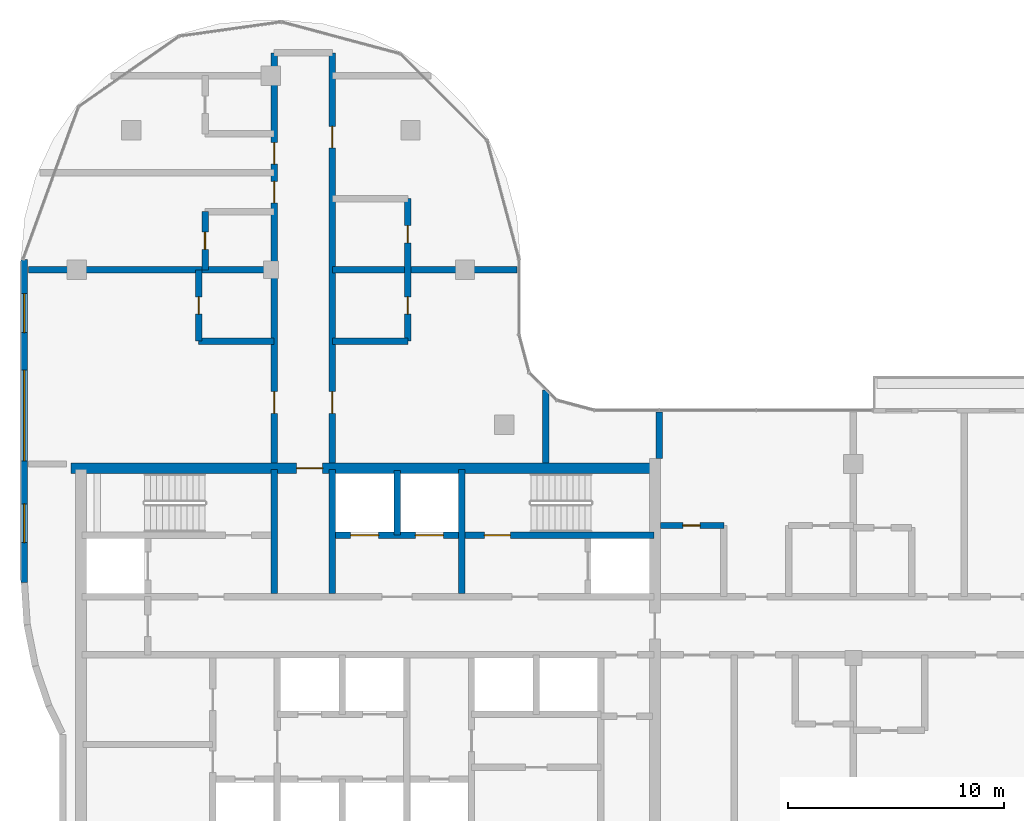
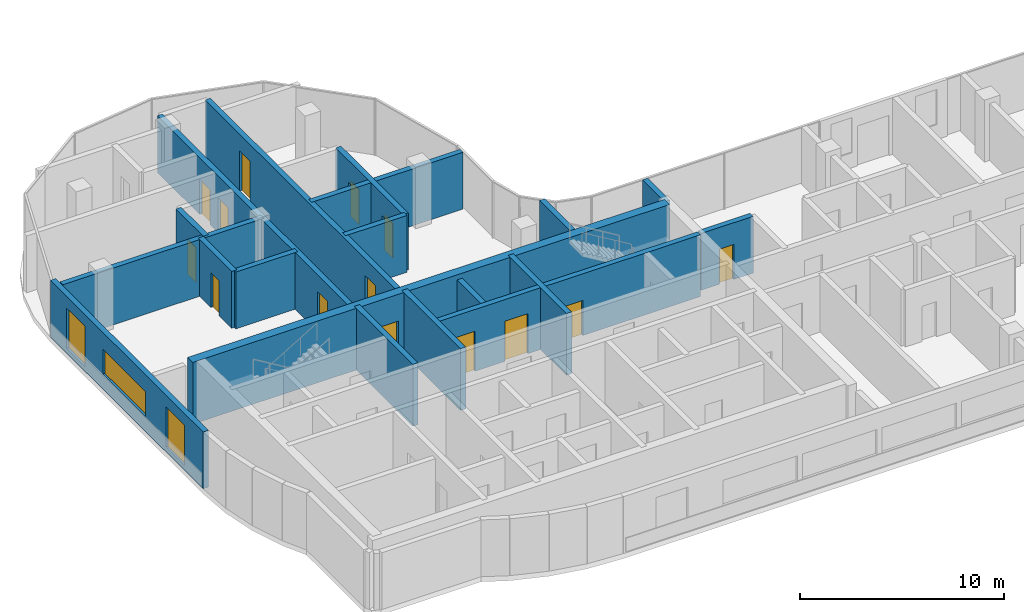
# One storey, part 10 of 18: 19 walls, 14 doors, 3 windows, 17 openings.
"""IFC4 building model written with IfcOpenShell, lengths in metres."""

from ifc_helpers import new_model, si_unit, direction, frame, frame_2d, origin, place, context, subcontext, project, spatial, rectangle, extrude, material, layer, layer_set, type_object, element, fill, save


model = new_model("IFC4")

# Units and contexts
model_context = context("Model", 3, precision=1e-05, world=origin(), true_north=direction((0.0, 1.0)))
body_context = subcontext(model_context, "Body", "Model", "MODEL_VIEW")
ifc_project = project(units=[si_unit("LENGTHUNIT", "METRE"), si_unit("AREAUNIT", "SQUARE_METRE"), si_unit("VOLUMEUNIT", "CUBIC_METRE"), si_unit("PLANEANGLEUNIT", "RADIAN"), si_unit("MASSUNIT", "GRAM", prefix="KILO")], contexts=[model_context])

# Site, building, storey
site_placement = place(None, origin())
site = spatial("IfcSite", under=ifc_project, at=site_placement, CompositionType="ELEMENT")
building_placement = place(site_placement, origin())
building = spatial("IfcBuilding", under=site, at=building_placement, Name="Ogive Portal Towers", CompositionType="ELEMENT")
storey_placement = place(building_placement, frame((0.0, 0.0, 236.5)))
storey = spatial("IfcBuildingStorey", under=building, at=storey_placement, Name="L59", CompositionType="ELEMENT", Elevation=236.5)

# Wall, openings, doors
ifc_material_1 = material(Name="Concrete C60/75", Category="concrete")
ifc_layer_1 = layer(ifc_material_1, 0.300048828125)
ifc_layer_set_1 = layer_set([ifc_layer_1], Name="CORE WALL 300 C60")
wall_type_1 = type_object("IfcWallType", Name="CORE WALL 300 C60", PredefinedType="SHEAR", material=ifc_layer_set_1)
wall_1_placement = place(storey_placement, frame((43.5, 36.199951171875, 0.0), z_axis=(0.0, 0.0, 1.0), x_axis=(1.0, 0.0, 0.0)))
wall_1 = element("IfcWall", 1, at=wall_1_placement, inside=storey, type_object=wall_type_1, Name="Core wall Y3b L59", PredefinedType="SHEAR", context=body_context, shape_type="SweptSolid", body=[
    extrude(rectangle(XDim=14.75, YDim=0.300048828125, at=frame_2d((7.375, 0.0))), origin(), (0.0, 0.0, 1.0), 3.699951171875),
])
opening_1_placement = place(wall_1_placement, frame((6.89990234375, 0.0, 0.0)))
opening_1 = element("IfcOpeningElement", 2, at=opening_1_placement, cuts=wall_1, Name="Opening D26-006", PredefinedType="OPENING", context=body_context, shape_type="SweptSolid", body=[
    extrude(rectangle(XDim=1.199951171875, YDim=2.10009765625, at=frame_2d((0.60009765625, 1.050048828125))), frame((0.0, 0.16015625, 0.0), z_axis=(0.0, -1.0, 0.0), x_axis=(1.0, 0.0, 0.0)), (0.0, 0.0, 1.0), 0.320068359375),
])
opening_2_placement = place(wall_1_placement, frame((0.699951171875, 0.0, 0.0)))
opening_2 = element("IfcOpeningElement", 3, at=opening_2_placement, cuts=wall_1, Name="Opening D26-017", PredefinedType="OPENING", context=body_context, shape_type="SweptSolid", body=[
    extrude(rectangle(XDim=1.300048828125, YDim=2.39990234375, at=frame_2d((0.64990234375, 1.199951171875))), frame((0.0, 0.16015625, 0.0), z_axis=(0.0, -1.0, 0.0), x_axis=(1.0, 0.0, 0.0)), (0.0, 0.0, 1.0), 0.320068359375),
])
opening_3_placement = place(wall_1_placement, frame((3.699951171875, 0.0, 0.0)))
opening_3 = element("IfcOpeningElement", 4, at=opening_3_placement, cuts=wall_1, Name="Opening D26-018", PredefinedType="OPENING", context=body_context, shape_type="SweptSolid", body=[
    extrude(rectangle(XDim=1.300048828125, YDim=2.39990234375, at=frame_2d((0.64990234375, 1.199951171875))), frame((0.0, 0.16015625, 0.0), z_axis=(0.0, -1.0, 0.0), x_axis=(1.0, 0.0, 0.0)), (0.0, 0.0, 1.0), 0.320068359375),
])
ifc_material_2 = material(Name="Stainless steel", Category="steel")
door_type_1 = type_object("IfcDoorType", Name="DT-LD-1300x2400", OperationType="SLIDING_TO_LEFT", PredefinedType="DOOR", material=ifc_material_2)
door_1_placement = place(opening_2_placement, origin())
door_1 = element("IfcDoor", 5, at=door_1_placement, inside=storey, type_object=door_type_1, Name="Door D26-017", OperationType="SLIDING_TO_LEFT", OverallHeight=2.39990234375, OverallWidth=1.300048828125, PredefinedType="DOOR", context=body_context, shape_type="SweptSolid", body=[
    extrude(rectangle(XDim=1.300048828125, YDim=2.39990234375, at=frame_2d((0.64990234375, 1.199951171875))), frame((0.0, 0.02490234375, 0.0), z_axis=(0.0, -1.0, 0.0), x_axis=(1.0, 0.0, 0.0)), (0.0, 0.0, 1.0), 0.050048828125),
])
fill(opening_2, door_1)
door_2_placement = place(opening_3_placement, origin())
door_2 = element("IfcDoor", 6, at=door_2_placement, inside=storey, type_object=door_type_1, Name="Door D26-018", OperationType="SLIDING_TO_LEFT", OverallHeight=2.39990234375, OverallWidth=1.300048828125, PredefinedType="DOOR", context=body_context, shape_type="SweptSolid", body=[
    extrude(rectangle(XDim=1.300048828125, YDim=2.39990234375, at=frame_2d((0.64990234375, 1.199951171875))), frame((0.0, 0.02490234375, 0.0), z_axis=(0.0, -1.0, 0.0), x_axis=(1.0, 0.0, 0.0)), (0.0, 0.0, 1.0), 0.050048828125),
])
fill(opening_3, door_2)
ifc_material_3 = material(Name="Steel fire door", Category="steel")
door_type_2 = type_object("IfcDoorType", Name="DT-SWING-1200x2100-FD90S", OperationType="SINGLE_SWING_LEFT", PredefinedType="DOOR", material=ifc_material_3)
door_3_placement = place(opening_1_placement, origin())
door_3 = element("IfcDoor", 7, at=door_3_placement, inside=storey, type_object=door_type_2, Name="Door D26-006", OperationType="SINGLE_SWING_LEFT", OverallHeight=2.10009765625, OverallWidth=1.199951171875, PredefinedType="DOOR", context=body_context, shape_type="SweptSolid", body=[
    extrude(rectangle(XDim=1.199951171875, YDim=2.10009765625, at=frame_2d((0.60009765625, 1.050048828125))), frame((0.0, 0.02490234375, 0.0), z_axis=(0.0, -1.0, 0.0), x_axis=(1.0, 0.0, 0.0)), (0.0, 0.0, 1.0), 0.050048828125),
])
fill(opening_1, door_3)

# Walls
for number, where, z_axis, x_axis, name in (
    (8, (40.64990234375, 33.5, 0.0), (0.0, 0.0, 1.0), (0.0, 1.0, 0.0), "Core wall X6 L59"),
    (9, (43.35009765625, 33.5, 0.0), (0.0, 0.0, 1.0), (0.0, 1.0, 0.0), "Core wall X7 L59"),
    (10, (49.35009765625, 33.5, 0.0), (0.0, 0.0, 1.0), (0.0, 1.0, 0.0), "Core wall X9 L59"),
):
    element("IfcWall", number, at=place(storey_placement, frame(where, z_axis=z_axis, x_axis=x_axis)), inside=storey, type_object=wall_type_1, Name=name, PredefinedType="SHEAR", context=body_context, shape_type="SweptSolid", body=[
        extrude(rectangle(XDim=5.75, YDim=0.300048828125, at=frame_2d((2.875, 0.0))), origin(), (0.0, 0.0, 1.0), 3.699951171875),
    ])

# Wall, opening, door
ifc_layer_2 = layer(ifc_material_1, 0.5)
ifc_layer_set_2 = layer_set([ifc_layer_2], Name="CORE WALL 500 C60")
wall_type_2 = type_object("IfcWallType", Name="CORE WALL 500 C60", PredefinedType="SHEAR", material=ifc_layer_set_2)
wall_2_placement = place(storey_placement, frame((31.25, 39.300048828125, 0.0), z_axis=(0.0, 0.0, 1.0), x_axis=(1.0, 0.0, 0.0)))
wall_2 = element("IfcWall", 11, at=wall_2_placement, inside=storey, type_object=wall_type_2, Name="Core wall N L59", PredefinedType="SHEAR", context=body_context, shape_type="SweptSolid", body=[
    extrude(rectangle(XDim=27.0, YDim=0.5, at=frame_2d((13.5, 0.0))), origin(), (0.0, 0.0, 1.0), 3.699951171875),
])
opening_4_placement = place(wall_2_placement, frame((10.449951171875, 0.0, 0.0)))
opening_4 = element("IfcOpeningElement", 12, at=opening_4_placement, cuts=wall_2, Name="Opening D26-012", PredefinedType="OPENING", context=body_context, shape_type="SweptSolid", body=[
    extrude(rectangle(XDim=1.199951171875, YDim=2.10009765625, at=frame_2d((0.60009765625, 1.050048828125))), frame((0.0, 0.260009765625, 0.0), z_axis=(0.0, -1.0, 0.0), x_axis=(1.0, 0.0, 0.0)), (0.0, 0.0, 1.0), 0.52001953125),
])
door_4_placement = place(opening_4_placement, origin())
door_4 = element("IfcDoor", 13, at=door_4_placement, inside=storey, type_object=door_type_2, Name="Door D26-012", OperationType="SINGLE_SWING_RIGHT", OverallHeight=2.10009765625, OverallWidth=1.199951171875, PredefinedType="DOOR", context=body_context, shape_type="SweptSolid", body=[
    extrude(rectangle(XDim=1.199951171875, YDim=2.10009765625, at=frame_2d((0.60009765625, 1.050048828125))), frame((0.0, 0.02490234375, 0.0), z_axis=(0.0, -1.0, 0.0), x_axis=(1.0, 0.0, 0.0)), (0.0, 0.0, 1.0), 0.050048828125),
])
fill(opening_4, door_4)

# Wall, openings, windows
ifc_material_4 = material(Name="Limestone cladding on lightweight block wall", Category="masonry")
ifc_layer_3 = layer(ifc_material_4, 0.300048828125)
ifc_layer_set_3 = layer_set([ifc_layer_3], Name="EXTERNAL WALL 300 STONE")
wall_type_3 = type_object("IfcWallType", Name="EXTERNAL WALL 300 STONE", PredefinedType="SOLIDWALL", material=ifc_layer_set_3)
wall_3_placement = place(storey_placement, frame((29.074951171875, 48.98583984375, 0.0), z_axis=(0.0, 0.0, 1.0), x_axis=(0.0, -1.0, 0.0)))
wall_3 = element("IfcWall", 14, at=wall_3_placement, inside=storey, type_object=wall_type_3, Name="A:L59:f27:r0:wall", PredefinedType="SOLIDWALL", context=body_context, shape_type="SweptSolid", body=[
    extrude(rectangle(XDim=14.97607421875, YDim=0.300048828125, at=frame_2d((7.488037109375, 0.0))), origin(), (0.0, 0.0, 1.0), 3.39990234375),
])
opening_5_placement = place(wall_3_placement, frame((1.593017578125, 0.0, 0.300048828125)))
opening_5 = element("IfcOpeningElement", 15, at=opening_5_placement, cuts=wall_3, Name="Opening WN10", PredefinedType="OPENING", context=body_context, shape_type="SweptSolid", body=[
    extrude(rectangle(XDim=1.800048828125, YDim=2.39990234375, at=frame_2d((0.89990234375, 1.199951171875))), frame((0.0, 0.16015625, 0.0), z_axis=(0.0, -1.0, 0.0), x_axis=(1.0, 0.0, 0.0)), (0.0, 0.0, 1.0), 0.320068359375),
])
opening_6_placement = place(wall_3_placement, frame((5.135986328125, 0.0, 0.89990234375)))
opening_6 = element("IfcOpeningElement", 16, at=opening_6_placement, cuts=wall_3, Name="Opening WN11", PredefinedType="OPENING", context=body_context, shape_type="SweptSolid", body=[
    extrude(rectangle(XDim=4.199951171875, YDim=1.5, at=frame_2d((2.10009765625, 0.75))), frame((0.0, 0.16015625, 0.0), z_axis=(0.0, -1.0, 0.0), x_axis=(1.0, 0.0, 0.0)), (0.0, 0.0, 1.0), 0.320068359375),
])
opening_7_placement = place(wall_3_placement, frame((11.3310546875, 0.0, 0.300048828125)))
opening_7 = element("IfcOpeningElement", 17, at=opening_7_placement, cuts=wall_3, Name="Opening WN10", PredefinedType="OPENING", context=body_context, shape_type="SweptSolid", body=[
    extrude(rectangle(XDim=1.800048828125, YDim=2.39990234375, at=frame_2d((0.89990234375, 1.199951171875))), frame((0.0, 0.16015625, 0.0), z_axis=(0.0, -1.0, 0.0), x_axis=(1.0, 0.0, 0.0)), (0.0, 0.0, 1.0), 0.320068359375),
])
ifc_material_5 = material(Name="Glass, clear low-iron insulated glazing", Category="glass")
window_type_1 = type_object("IfcWindowType", Name="WINDOW RIBBON 4200x1500", PartitioningType="TRIPLE_PANEL_VERTICAL", PredefinedType="WINDOW", material=ifc_material_5)
window_1_placement = place(opening_6_placement, origin())
window_1 = element("IfcWindow", 18, at=window_1_placement, inside=storey, type_object=window_type_1, Name="A:L59:f27:r0:w1", OverallHeight=1.5, OverallWidth=4.199951171875, PartitioningType="SINGLE_PANEL", PredefinedType="WINDOW", context=body_context, shape_type="SweptSolid", body=[
    extrude(rectangle(XDim=4.199951171875, YDim=1.5, at=frame_2d((2.10009765625, 0.75))), frame((0.0, 0.030029296875, 0.0), z_axis=(0.0, -1.0, 0.0), x_axis=(1.0, 0.0, 0.0)), (0.0, 0.0, 1.0), 0.06005859375),
])
fill(opening_6, window_1)
window_type_2 = type_object("IfcWindowType", Name="WINDOW SUITE CORNER 1800x2400", PartitioningType="DOUBLE_PANEL_VERTICAL", PredefinedType="WINDOW", material=ifc_material_5)
window_2_placement = place(opening_5_placement, origin())
window_2 = element("IfcWindow", 19, at=window_2_placement, inside=storey, type_object=window_type_2, Name="A:L59:f27:r0:w0", OverallHeight=2.39990234375, OverallWidth=1.800048828125, PartitioningType="SINGLE_PANEL", PredefinedType="WINDOW", context=body_context, shape_type="SweptSolid", body=[
    extrude(rectangle(XDim=1.800048828125, YDim=2.39990234375, at=frame_2d((0.89990234375, 1.199951171875))), frame((0.0, 0.030029296875, 0.0), z_axis=(0.0, -1.0, 0.0), x_axis=(1.0, 0.0, 0.0)), (0.0, 0.0, 1.0), 0.06005859375),
])
fill(opening_5, window_2)
window_3_placement = place(opening_7_placement, origin())
window_3 = element("IfcWindow", 20, at=window_3_placement, inside=storey, type_object=window_type_2, Name="A:L59:f27:r0:w2", OverallHeight=2.39990234375, OverallWidth=1.800048828125, PartitioningType="SINGLE_PANEL", PredefinedType="WINDOW", context=body_context, shape_type="SweptSolid", body=[
    extrude(rectangle(XDim=1.800048828125, YDim=2.39990234375, at=frame_2d((0.89990234375, 1.199951171875))), frame((0.0, 0.030029296875, 0.0), z_axis=(0.0, -1.0, 0.0), x_axis=(1.0, 0.0, 0.0)), (0.0, 0.0, 1.0), 0.06005859375),
])
fill(opening_7, window_3)

# Wall, opening, door
ifc_material_6 = material(Name="Gypsum board partition on steel studs", Category="steel")
ifc_layer_4 = layer(ifc_material_6, 0.300048828125)
ifc_layer_set_4 = layer_set([ifc_layer_4], Name="WT-PART-300-EI 60")
wall_type_4 = type_object("IfcWallType", Name="WT-PART-300-EI 60", PredefinedType="PARTITIONING", material=ifc_layer_set_4)
wall_4_placement = place(storey_placement, frame((58.550048828125, 36.64990234375, 0.0), z_axis=(0.0, 0.0, 1.0), x_axis=(1.0, 0.0, 0.0)))
wall_4 = element("IfcWall", 21, at=wall_4_placement, inside=storey, type_object=wall_type_4, Name="Wall L59:w011", PredefinedType="PARTITIONING", context=body_context, shape_type="SweptSolid", body=[
    extrude(rectangle(XDim=2.949951171875, YDim=0.300048828125, at=frame_2d((1.47509765625, 0.0))), origin(), (0.0, 0.0, 1.0), 3.39990234375),
])
opening_8_placement = place(wall_4_placement, frame((1.050048828125, 0.0, 0.0)))
opening_8 = element("IfcOpeningElement", 22, at=opening_8_placement, cuts=wall_4, Name="Opening D26-026", PredefinedType="OPENING", context=body_context, shape_type="SweptSolid", body=[
    extrude(rectangle(XDim=0.800048828125, YDim=2.10009765625, at=frame_2d((0.39990234375, 1.050048828125))), frame((0.0, 0.16015625, 0.0), z_axis=(0.0, -1.0, 0.0), x_axis=(1.0, 0.0, 0.0)), (0.0, 0.0, 1.0), 0.320068359375),
])
door_type_3 = type_object("IfcDoorType", Name="DT-BATH-800x2100-FD60S", OperationType="SINGLE_SWING_LEFT", PredefinedType="DOOR", material=ifc_material_3)
door_5_placement = place(opening_8_placement, origin())
door_5 = element("IfcDoor", 23, at=door_5_placement, inside=storey, type_object=door_type_3, Name="Door D26-026", OperationType="SINGLE_SWING_LEFT", OverallHeight=2.10009765625, OverallWidth=0.800048828125, PredefinedType="DOOR", context=body_context, shape_type="SweptSolid", body=[
    extrude(rectangle(XDim=0.800048828125, YDim=2.10009765625, at=frame_2d((0.39990234375, 1.050048828125))), frame((0.0, 0.02490234375, 0.0), z_axis=(0.0, -1.0, 0.0), x_axis=(1.0, 0.0, 0.0)), (0.0, 0.0, 1.0), 0.050048828125),
])
fill(opening_8, door_5)

# Walls
for number, where, z_axis, x_axis, name in (
    (24, (37.14990234375, 45.199951171875, 0.0), (0.0, 0.0, 1.0), (1.0, 0.0, 0.0), "Wall L59:w015"),
    (25, (43.35009765625, 45.199951171875, 0.0), (0.0, 0.0, 1.0), (1.0, 0.0, 0.0), "Wall L59:w016"),
):
    element("IfcWall", number, at=place(storey_placement, frame(where, z_axis=z_axis, x_axis=x_axis)), inside=storey, type_object=wall_type_4, Name=name, PredefinedType="PARTITIONING", context=body_context, shape_type="SweptSolid", body=[
        extrude(rectangle(XDim=3.5, YDim=0.300048828125, at=frame_2d((1.75, 0.0))), origin(), (0.0, 0.0, 1.0), 3.39990234375),
    ])
wall_5_placement = place(storey_placement, frame((29.27490234375, 48.5, 0.0), z_axis=(0.0, 0.0, 1.0), x_axis=(1.0, 0.0, 0.0)))
element("IfcWall", 26, at=wall_5_placement, inside=storey, type_object=wall_type_4, Name="Wall L59:w017", PredefinedType="PARTITIONING", context=body_context, shape_type="SweptSolid", body=[
    extrude(rectangle(XDim=11.375, YDim=0.300048828125, at=frame_2d((5.6875, 0.0))), origin(), (0.0, 0.0, 1.0), 3.39990234375),
])
wall_6_placement = place(storey_placement, frame((43.35009765625, 48.5, 0.0), z_axis=(0.0, 0.0, 1.0), x_axis=(1.0, 0.0, 0.0)))
element("IfcWall", 27, at=wall_6_placement, inside=storey, type_object=wall_type_4, Name="Wall L59:w018", PredefinedType="PARTITIONING", context=body_context, shape_type="SweptSolid", body=[
    extrude(rectangle(XDim=8.554931640625, YDim=0.300048828125, at=frame_2d((4.27734375, 0.0))), origin(), (0.0, 0.0, 1.0), 3.39990234375),
])

# Wall, opening, door
wall_7_placement = place(storey_placement, frame((37.14990234375, 45.199951171875, 0.0), z_axis=(0.0, 0.0, 1.0), x_axis=(0.0, 1.0, 0.0)))
wall_7 = element("IfcWall", 28, at=wall_7_placement, inside=storey, type_object=wall_type_4, Name="Wall L59:w026", PredefinedType="PARTITIONING", context=body_context, shape_type="SweptSolid", body=[
    extrude(rectangle(XDim=3.300048828125, YDim=0.300048828125, at=frame_2d((1.64990234375, 0.0))), origin(), (0.0, 0.0, 1.0), 3.39990234375),
])
opening_9_placement = place(wall_7_placement, frame((1.25, 0.0, 0.0)))
opening_9 = element("IfcOpeningElement", 29, at=opening_9_placement, cuts=wall_7, Name="Opening D26-044", PredefinedType="OPENING", context=body_context, shape_type="SweptSolid", body=[
    extrude(rectangle(XDim=0.800048828125, YDim=2.10009765625, at=frame_2d((0.39990234375, 1.050048828125))), frame((0.0, 0.16015625, 0.0), z_axis=(0.0, -1.0, 0.0), x_axis=(1.0, 0.0, 0.0)), (0.0, 0.0, 1.0), 0.320068359375),
])
door_6_placement = place(opening_9_placement, origin())
door_6 = element("IfcDoor", 30, at=door_6_placement, inside=storey, type_object=door_type_3, Name="Door D26-044", OperationType="SINGLE_SWING_LEFT", OverallHeight=2.10009765625, OverallWidth=0.800048828125, PredefinedType="DOOR", context=body_context, shape_type="SweptSolid", body=[
    extrude(rectangle(XDim=0.800048828125, YDim=2.10009765625, at=frame_2d((0.39990234375, 1.050048828125))), frame((0.0, 0.02490234375, 0.0), z_axis=(0.0, -1.0, 0.0), x_axis=(1.0, 0.0, 0.0)), (0.0, 0.0, 1.0), 0.050048828125),
])
fill(opening_9, door_6)

wall_8_placement = place(storey_placement, frame((37.449951171875, 48.5, 0.0), z_axis=(0.0, 0.0, 1.0), x_axis=(0.0, 1.0, 0.0)))
wall_8 = element("IfcWall", 31, at=wall_8_placement, inside=storey, type_object=wall_type_4, Name="Wall L59:w027", PredefinedType="PARTITIONING", context=body_context, shape_type="SweptSolid", body=[
    extrude(rectangle(XDim=2.699951171875, YDim=0.300048828125, at=frame_2d((1.35009765625, 0.0))), origin(), (0.0, 0.0, 1.0), 3.39990234375),
])
opening_10_placement = place(wall_8_placement, frame((0.949951171875, 0.0, 0.0)))
opening_10 = element("IfcOpeningElement", 32, at=opening_10_placement, cuts=wall_8, Name="Opening D26-048", PredefinedType="OPENING", context=body_context, shape_type="SweptSolid", body=[
    extrude(rectangle(XDim=0.800048828125, YDim=2.10009765625, at=frame_2d((0.39990234375, 1.050048828125))), frame((0.0, 0.16015625, 0.0), z_axis=(0.0, -1.0, 0.0), x_axis=(1.0, 0.0, 0.0)), (0.0, 0.0, 1.0), 0.320068359375),
])
door_7_placement = place(opening_10_placement, origin())
door_7 = element("IfcDoor", 33, at=door_7_placement, inside=storey, type_object=door_type_3, Name="Door D26-048", OperationType="SINGLE_SWING_RIGHT", OverallHeight=2.10009765625, OverallWidth=0.800048828125, PredefinedType="DOOR", context=body_context, shape_type="SweptSolid", body=[
    extrude(rectangle(XDim=0.800048828125, YDim=2.10009765625, at=frame_2d((0.39990234375, 1.050048828125))), frame((0.0, 0.02490234375, 0.0), z_axis=(0.0, -1.0, 0.0), x_axis=(1.0, 0.0, 0.0)), (0.0, 0.0, 1.0), 0.050048828125),
])
fill(opening_10, door_7)

# Wall, openings, doors
wall_9_placement = place(storey_placement, frame((40.64990234375, 39.550048828125, 0.0), z_axis=(0.0, 0.0, 1.0), x_axis=(0.0, 1.0, 0.0)))
wall_9 = element("IfcWall", 34, at=wall_9_placement, inside=storey, type_object=wall_type_4, Name="Wall L59:w029", PredefinedType="PARTITIONING", context=body_context, shape_type="SweptSolid", body=[
    extrude(rectangle(XDim=19.0, YDim=0.300048828125, at=frame_2d((9.5, 0.0))), origin(), (0.0, 0.0, 1.0), 3.39990234375),
])
opening_11_placement = place(wall_9_placement, frame((2.300048828125, 0.0, 0.0)))
opening_11 = element("IfcOpeningElement", 35, at=opening_11_placement, cuts=wall_9, Name="Opening D26-045", PredefinedType="OPENING", context=body_context, shape_type="SweptSolid", body=[
    extrude(rectangle(XDim=1.0, YDim=2.39990234375, at=frame_2d((0.5, 1.199951171875))), frame((0.0, 0.16015625, 0.0), z_axis=(0.0, -1.0, 0.0), x_axis=(1.0, 0.0, 0.0)), (0.0, 0.0, 1.0), 0.320068359375),
])
opening_12_placement = place(wall_9_placement, frame((12.050048828125, 0.0, 0.0)))
opening_12 = element("IfcOpeningElement", 36, at=opening_12_placement, cuts=wall_9, Name="Opening D26-049", PredefinedType="OPENING", context=body_context, shape_type="SweptSolid", body=[
    extrude(rectangle(XDim=1.0, YDim=2.10009765625, at=frame_2d((0.5, 1.050048828125))), frame((0.0, 0.16015625, 0.0), z_axis=(0.0, -1.0, 0.0), x_axis=(1.0, 0.0, 0.0)), (0.0, 0.0, 1.0), 0.320068359375),
])
opening_13_placement = place(wall_9_placement, frame((13.85009765625, 0.0, 0.0)))
opening_13 = element("IfcOpeningElement", 37, at=opening_13_placement, cuts=wall_9, Name="Opening D26-051", PredefinedType="OPENING", context=body_context, shape_type="SweptSolid", body=[
    extrude(rectangle(XDim=1.0, YDim=2.10009765625, at=frame_2d((0.5, 1.050048828125))), frame((0.0, 0.16015625, 0.0), z_axis=(0.0, -1.0, 0.0), x_axis=(1.0, 0.0, 0.0)), (0.0, 0.0, 1.0), 0.320068359375),
])
door_type_4 = type_object("IfcDoorType", Name="DT-ENTRY-1000x2100-FD60S", OperationType="SINGLE_SWING_LEFT", PredefinedType="DOOR", material=ifc_material_3)
door_8_placement = place(opening_12_placement, origin())
door_8 = element("IfcDoor", 38, at=door_8_placement, inside=storey, type_object=door_type_4, Name="Door D26-049", OperationType="SINGLE_SWING_LEFT", OverallHeight=2.10009765625, OverallWidth=1.0, PredefinedType="DOOR", context=body_context, shape_type="SweptSolid", body=[
    extrude(rectangle(XDim=1.0, YDim=2.10009765625, at=frame_2d((0.5, 1.050048828125))), frame((0.0, 0.02490234375, 0.0), z_axis=(0.0, -1.0, 0.0), x_axis=(1.0, 0.0, 0.0)), (0.0, 0.0, 1.0), 0.050048828125),
])
fill(opening_12, door_8)
door_9_placement = place(opening_13_placement, origin())
door_9 = element("IfcDoor", 39, at=door_9_placement, inside=storey, type_object=door_type_4, Name="Door D26-051", OperationType="SINGLE_SWING_LEFT", OverallHeight=2.10009765625, OverallWidth=1.0, PredefinedType="DOOR", context=body_context, shape_type="SweptSolid", body=[
    extrude(rectangle(XDim=1.0, YDim=2.10009765625, at=frame_2d((0.5, 1.050048828125))), frame((0.0, 0.02490234375, 0.0), z_axis=(0.0, -1.0, 0.0), x_axis=(1.0, 0.0, 0.0)), (0.0, 0.0, 1.0), 0.050048828125),
])
fill(opening_13, door_9)
door_type_5 = type_object("IfcDoorType", Name="DT-ENTRY-1000x2400-FD60S", OperationType="SINGLE_SWING_LEFT", PredefinedType="DOOR", material=ifc_material_3)
door_10_placement = place(opening_11_placement, origin())
door_10 = element("IfcDoor", 40, at=door_10_placement, inside=storey, type_object=door_type_5, Name="Door D26-045", OperationType="SINGLE_SWING_LEFT", OverallHeight=2.39990234375, OverallWidth=1.0, PredefinedType="DOOR", context=body_context, shape_type="SweptSolid", body=[
    extrude(rectangle(XDim=1.0, YDim=2.39990234375, at=frame_2d((0.5, 1.199951171875))), frame((0.0, 0.02490234375, 0.0), z_axis=(0.0, -1.0, 0.0), x_axis=(1.0, 0.0, 0.0)), (0.0, 0.0, 1.0), 0.050048828125),
])
fill(opening_11, door_10)

wall_10_placement = place(storey_placement, frame((43.35009765625, 39.550048828125, 0.0), z_axis=(0.0, 0.0, 1.0), x_axis=(0.0, 1.0, 0.0)))
wall_10 = element("IfcWall", 41, at=wall_10_placement, inside=storey, type_object=wall_type_4, Name="Wall L59:w030", PredefinedType="PARTITIONING", context=body_context, shape_type="SweptSolid", body=[
    extrude(rectangle(XDim=19.0, YDim=0.300048828125, at=frame_2d((9.5, 0.0))), origin(), (0.0, 0.0, 1.0), 3.39990234375),
])
opening_14_placement = place(wall_10_placement, frame((2.300048828125, 0.0, 0.0)))
opening_14 = element("IfcOpeningElement", 42, at=opening_14_placement, cuts=wall_10, Name="Opening D26-043", PredefinedType="OPENING", context=body_context, shape_type="SweptSolid", body=[
    extrude(rectangle(XDim=1.0, YDim=2.39990234375, at=frame_2d((0.5, 1.199951171875))), frame((0.0, 0.16015625, 0.0), z_axis=(0.0, -1.0, 0.0), x_axis=(1.0, 0.0, 0.0)), (0.0, 0.0, 1.0), 0.320068359375),
])
opening_15_placement = place(wall_10_placement, frame((14.60009765625, 0.0, 0.0)))
opening_15 = element("IfcOpeningElement", 43, at=opening_15_placement, cuts=wall_10, Name="Opening D26-047", PredefinedType="OPENING", context=body_context, shape_type="SweptSolid", body=[
    extrude(rectangle(XDim=1.0, YDim=2.39990234375, at=frame_2d((0.5, 1.199951171875))), frame((0.0, 0.16015625, 0.0), z_axis=(0.0, -1.0, 0.0), x_axis=(1.0, 0.0, 0.0)), (0.0, 0.0, 1.0), 0.320068359375),
])
door_11_placement = place(opening_14_placement, origin())
door_11 = element("IfcDoor", 44, at=door_11_placement, inside=storey, type_object=door_type_5, Name="Door D26-043", OperationType="SINGLE_SWING_LEFT", OverallHeight=2.39990234375, OverallWidth=1.0, PredefinedType="DOOR", context=body_context, shape_type="SweptSolid", body=[
    extrude(rectangle(XDim=1.0, YDim=2.39990234375, at=frame_2d((0.5, 1.199951171875))), frame((0.0, 0.02490234375, 0.0), z_axis=(0.0, -1.0, 0.0), x_axis=(1.0, 0.0, 0.0)), (0.0, 0.0, 1.0), 0.050048828125),
])
fill(opening_14, door_11)
door_12_placement = place(opening_15_placement, origin())
door_12 = element("IfcDoor", 45, at=door_12_placement, inside=storey, type_object=door_type_5, Name="Door D26-047", OperationType="SINGLE_SWING_RIGHT", OverallHeight=2.39990234375, OverallWidth=1.0, PredefinedType="DOOR", context=body_context, shape_type="SweptSolid", body=[
    extrude(rectangle(XDim=1.0, YDim=2.39990234375, at=frame_2d((0.5, 1.199951171875))), frame((0.0, 0.02490234375, 0.0), z_axis=(0.0, -1.0, 0.0), x_axis=(1.0, 0.0, 0.0)), (0.0, 0.0, 1.0), 0.050048828125),
])
fill(opening_15, door_12)

wall_11_placement = place(storey_placement, frame((46.85009765625, 45.199951171875, 0.0), z_axis=(0.0, 0.0, 1.0), x_axis=(0.0, 1.0, 0.0)))
wall_11 = element("IfcWall", 46, at=wall_11_placement, inside=storey, type_object=wall_type_4, Name="Wall L59:w031", PredefinedType="PARTITIONING", context=body_context, shape_type="SweptSolid", body=[
    extrude(rectangle(XDim=6.60009765625, YDim=0.300048828125, at=frame_2d((3.300048828125, 0.0))), origin(), (0.0, 0.0, 1.0), 3.39990234375),
])
opening_16_placement = place(wall_11_placement, frame((1.25, 0.0, 0.0)))
opening_16 = element("IfcOpeningElement", 47, at=opening_16_placement, cuts=wall_11, Name="Opening D26-042", PredefinedType="OPENING", context=body_context, shape_type="SweptSolid", body=[
    extrude(rectangle(XDim=0.800048828125, YDim=2.10009765625, at=frame_2d((0.39990234375, 1.050048828125))), frame((0.0, 0.16015625, 0.0), z_axis=(0.0, -1.0, 0.0), x_axis=(1.0, 0.0, 0.0)), (0.0, 0.0, 1.0), 0.320068359375),
])
opening_17_placement = place(wall_11_placement, frame((4.550048828125, 0.0, 0.0)))
opening_17 = element("IfcOpeningElement", 48, at=opening_17_placement, cuts=wall_11, Name="Opening D26-046", PredefinedType="OPENING", context=body_context, shape_type="SweptSolid", body=[
    extrude(rectangle(XDim=0.800048828125, YDim=2.10009765625, at=frame_2d((0.39990234375, 1.050048828125))), frame((0.0, 0.16015625, 0.0), z_axis=(0.0, -1.0, 0.0), x_axis=(1.0, 0.0, 0.0)), (0.0, 0.0, 1.0), 0.320068359375),
])
door_13_placement = place(opening_16_placement, origin())
door_13 = element("IfcDoor", 49, at=door_13_placement, inside=storey, type_object=door_type_3, Name="Door D26-042", OperationType="SINGLE_SWING_RIGHT", OverallHeight=2.10009765625, OverallWidth=0.800048828125, PredefinedType="DOOR", context=body_context, shape_type="SweptSolid", body=[
    extrude(rectangle(XDim=0.800048828125, YDim=2.10009765625, at=frame_2d((0.39990234375, 1.050048828125))), frame((0.0, 0.02490234375, 0.0), z_axis=(0.0, -1.0, 0.0), x_axis=(1.0, 0.0, 0.0)), (0.0, 0.0, 1.0), 0.050048828125),
])
fill(opening_16, door_13)
door_14_placement = place(opening_17_placement, origin())
door_14 = element("IfcDoor", 50, at=door_14_placement, inside=storey, type_object=door_type_3, Name="Door D26-046", OperationType="SINGLE_SWING_LEFT", OverallHeight=2.10009765625, OverallWidth=0.800048828125, PredefinedType="DOOR", context=body_context, shape_type="SweptSolid", body=[
    extrude(rectangle(XDim=0.800048828125, YDim=2.10009765625, at=frame_2d((0.39990234375, 1.050048828125))), frame((0.0, 0.02490234375, 0.0), z_axis=(0.0, -1.0, 0.0), x_axis=(1.0, 0.0, 0.0)), (0.0, 0.0, 1.0), 0.050048828125),
])
fill(opening_17, door_14)

# Walls
wall_12_placement = place(storey_placement, frame((53.25, 39.550048828125, 0.0), z_axis=(0.0, 0.0, 1.0), x_axis=(0.0, 1.0, 0.0)))
element("IfcWall", 51, at=wall_12_placement, inside=storey, type_object=wall_type_4, Name="Wall L59:w032", PredefinedType="PARTITIONING", context=body_context, shape_type="SweptSolid", body=[
    extrude(rectangle(XDim=3.369873046875, YDim=0.300048828125, at=frame_2d((1.68505859375, 0.0))), origin(), (0.0, 0.0, 1.0), 3.39990234375),
])
wall_13_placement = place(storey_placement, frame((58.5, 39.75, 0.0), z_axis=(0.0, 0.0, 1.0), x_axis=(0.0, 1.0, 0.0)))
element("IfcWall", 52, at=wall_13_placement, inside=storey, type_object=wall_type_4, Name="Wall L59:w034", PredefinedType="PARTITIONING", context=body_context, shape_type="SweptSolid", body=[
    extrude(rectangle(XDim=2.155029296875, YDim=0.300048828125, at=frame_2d((1.07763671875, 0.0))), origin(), (0.0, 0.0, 1.0), 3.39990234375),
])
ifc_material_7 = material(Name="Concrete C40/50", Category="concrete")
ifc_layer_5 = layer(ifc_material_7, 0.300048828125)
ifc_layer_set_5 = layer_set([ifc_layer_5], Name="WT-SHAFT-300")
wall_type_5 = type_object("IfcWallType", Name="WT-SHAFT-300", PredefinedType="SOLIDWALL", material=ifc_layer_set_5)
wall_14_placement = place(storey_placement, frame((46.35009765625, 36.199951171875, 0.0), z_axis=(0.0, 0.0, 1.0), x_axis=(0.0, 1.0, 0.0)))
element("IfcWall", 53, at=wall_14_placement, inside=storey, type_object=wall_type_5, Name="Wall pw:010:L59", PredefinedType="SOLIDWALL", context=body_context, shape_type="SweptSolid", body=[
    extrude(rectangle(XDim=3.0, YDim=0.300048828125, at=frame_2d((1.5, 0.0))), origin(), (0.0, 0.0, 1.0), 3.39990234375),
])

save(model, "model.ifc")
